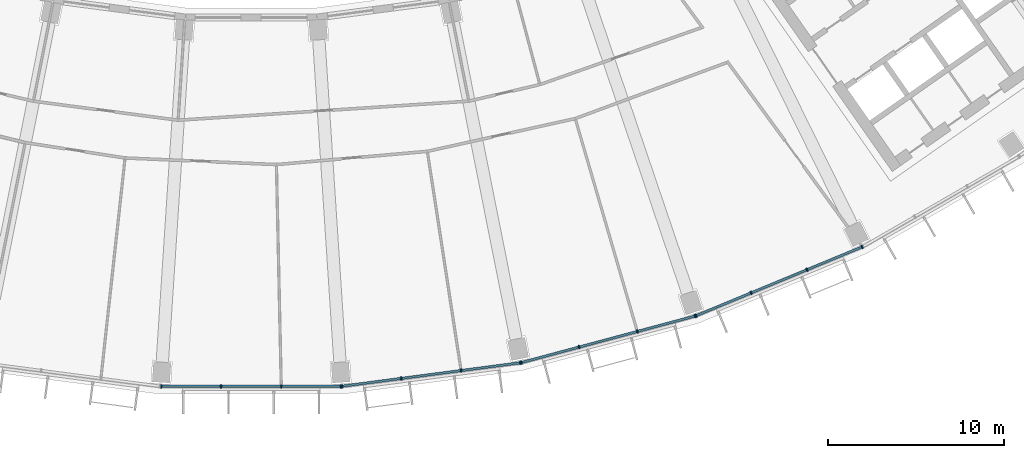
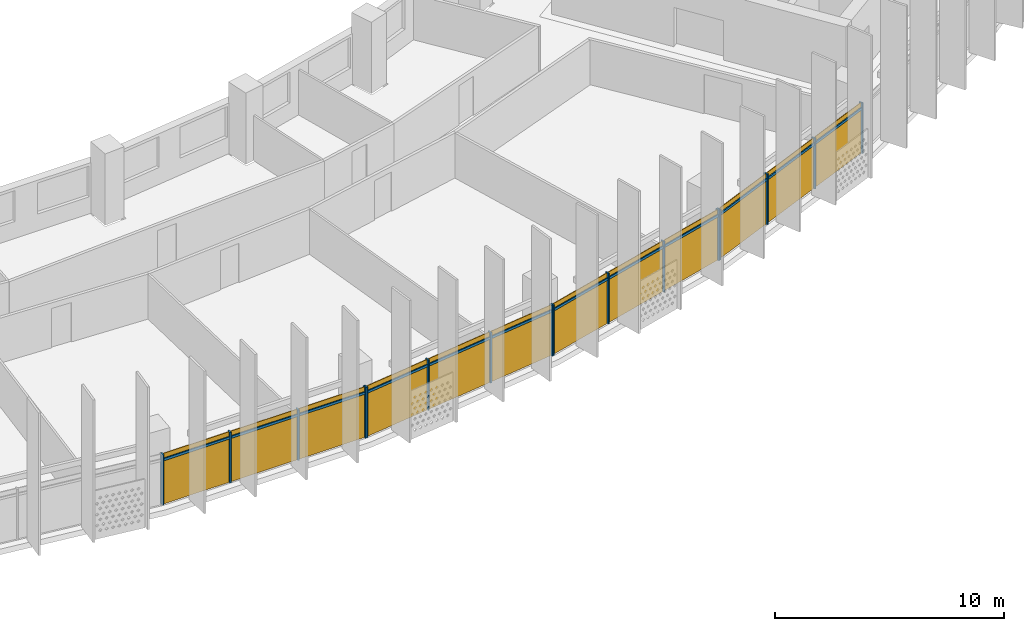
# One storey, part 19 of 30: 28 members, 4 curtain walls.
"""IFC4 building model written with IfcOpenShell, lengths in metres."""

from ifc_helpers import new_model, si_unit, direction, frame, origin, origin_2d, place, context, subcontext, project, spatial, rectangle, extrude, material, material_profile, profile_set, type_object, element, aggregate, save


model = new_model("IFC4")

# Units and contexts
model_context = context("Model", 3, precision=1e-05, world=origin(), true_north=direction((0.0, 1.0)))
body_context = subcontext(model_context, "Body", "Model", "MODEL_VIEW")
ifc_project = project(units=[si_unit("LENGTHUNIT", "METRE"), si_unit("AREAUNIT", "SQUARE_METRE"), si_unit("VOLUMEUNIT", "CUBIC_METRE"), si_unit("PLANEANGLEUNIT", "RADIAN"), si_unit("MASSUNIT", "GRAM", prefix="KILO")], contexts=[model_context])

# Member
ifc_material = material(Name="Aluminium 6063-T6 anodised", Category="aluminium")
ifc_material_profile_1 = material_profile(ifc_material, rectangle(XDim=0.199951171875, YDim=0.070068359375, at=origin_2d()))
ifc_profile_set_1 = profile_set([ifc_material_profile_1], Name="Aluminium 6063-T6 anodised")
member_type_1 = type_object("IfcMemberType", Name="Mullion 70 x 200 aluminium", PredefinedType="MULLION", material=ifc_profile_set_1)
site_placement = place(None, origin())
building_placement = place(site_placement, origin())
storey_placement = place(building_placement, frame((0.0, 0.0, 203.699951171875)))
member_1_placement = place(storey_placement, frame((-5.10888671875, -78.381591796875, 0.0), z_axis=(0.0, 0.0, 1.0), x_axis=(0.0, 1.0, 0.0)))
member_1 = element("IfcMember", 1, at=member_1_placement, type_object=member_type_1, Name="e-cw1-L48-out08/M00", PredefinedType="MULLION", context=body_context, shape_type="SweptSolid", body=[
    extrude(rectangle(XDim=0.199951171875, YDim=0.070068359375, at=origin_2d()), origin(), (0.0, 0.0, 1.0), 2.699951171875),
])

member_2_placement = place(storey_placement, frame((-1.714599609375, -78.381591796875, 0.0), z_axis=(0.0, 0.0, 1.0), x_axis=(0.0, 1.0, 0.0)))
member_2 = element("IfcMember", 2, at=member_2_placement, type_object=member_type_1, Name="e-cw1-L48-out08/M01", PredefinedType="MULLION", context=body_context, shape_type="SweptSolid", body=[
    extrude(rectangle(XDim=0.199951171875, YDim=0.070068359375, at=origin_2d()), origin(), (0.0, 0.0, 1.0), 2.699951171875),
])

member_3_placement = place(storey_placement, frame((1.714599609375, -78.381591796875, 0.0), z_axis=(0.0, 0.0, 1.0), x_axis=(0.0, 1.0, 0.0)))
member_3 = element("IfcMember", 3, at=member_3_placement, type_object=member_type_1, Name="e-cw1-L48-out08/M02", PredefinedType="MULLION", context=body_context, shape_type="SweptSolid", body=[
    extrude(rectangle(XDim=0.199951171875, YDim=0.070068359375, at=origin_2d()), origin(), (0.0, 0.0, 1.0), 2.699951171875),
])

member_4_placement = place(storey_placement, frame((5.10888671875, -78.381591796875, 0.0), z_axis=(0.0, 0.0, 1.0), x_axis=(0.0, 1.0, 0.0)))
member_4 = element("IfcMember", 4, at=member_4_placement, type_object=member_type_1, Name="e-cw1-L48-out08/M03", PredefinedType="MULLION", context=body_context, shape_type="SweptSolid", body=[
    extrude(rectangle(XDim=0.199951171875, YDim=0.070068359375, at=origin_2d()), origin(), (0.0, 0.0, 1.0), 2.699951171875),
])

member_5_placement = place(storey_placement, frame((5.16552734375, -78.3779296875, 0.0), z_axis=(0.0, 0.0, 1.0), x_axis=(-0.13052619222, 0.991444861374, 0.0)))
member_5 = element("IfcMember", 5, at=member_5_placement, type_object=member_type_1, Name="e-cw1-L48-out09/M00", PredefinedType="MULLION", context=body_context, shape_type="SweptSolid", body=[
    extrude(rectangle(XDim=0.199951171875, YDim=0.070068359375, at=origin_2d()), origin(), (0.0, 0.0, 1.0), 2.699951171875),
])

member_6_placement = place(storey_placement, frame((8.53076171875, -77.934814453125, 0.0), z_axis=(0.0, 0.0, 1.0), x_axis=(-0.13052619222, 0.991444861374, 0.0)))
member_6 = element("IfcMember", 6, at=member_6_placement, type_object=member_type_1, Name="e-cw1-L48-out09/M01", PredefinedType="MULLION", context=body_context, shape_type="SweptSolid", body=[
    extrude(rectangle(XDim=0.199951171875, YDim=0.070068359375, at=origin_2d()), origin(), (0.0, 0.0, 1.0), 2.699951171875),
])

member_7_placement = place(storey_placement, frame((11.930908203125, -77.4873046875, 0.0), z_axis=(0.0, 0.0, 1.0), x_axis=(-0.13052619222, 0.991444861374, 0.0)))
member_7 = element("IfcMember", 7, at=member_7_placement, type_object=member_type_1, Name="e-cw1-L48-out09/M02", PredefinedType="MULLION", context=body_context, shape_type="SweptSolid", body=[
    extrude(rectangle(XDim=0.199951171875, YDim=0.070068359375, at=origin_2d()), origin(), (0.0, 0.0, 1.0), 2.699951171875),
])

member_8_placement = place(storey_placement, frame((15.296142578125, -77.044189453125, 0.0), z_axis=(0.0, 0.0, 1.0), x_axis=(-0.13052619222, 0.991444861374, 0.0)))
member_8 = element("IfcMember", 8, at=member_8_placement, type_object=member_type_1, Name="e-cw1-L48-out09/M03", PredefinedType="MULLION", context=body_context, shape_type="SweptSolid", body=[
    extrude(rectangle(XDim=0.199951171875, YDim=0.070068359375, at=origin_2d()), origin(), (0.0, 0.0, 1.0), 2.699951171875),
])

member_9_placement = place(storey_placement, frame((15.351806640625, -77.033203125, 0.0), z_axis=(0.0, 0.0, 1.0), x_axis=(-0.258819045103, 0.965925826289, 0.0)))
member_9 = element("IfcMember", 9, at=member_9_placement, type_object=member_type_1, Name="e-cw1-L48-out10/M00", PredefinedType="MULLION", context=body_context, shape_type="SweptSolid", body=[
    extrude(rectangle(XDim=0.199951171875, YDim=0.070068359375, at=origin_2d()), origin(), (0.0, 0.0, 1.0), 2.699951171875),
])

member_10_placement = place(storey_placement, frame((18.63037109375, -76.154541015625, 0.0), z_axis=(0.0, 0.0, 1.0), x_axis=(-0.258819045103, 0.965925826289, 0.0)))
member_10 = element("IfcMember", 10, at=member_10_placement, type_object=member_type_1, Name="e-cw1-L48-out10/M01", PredefinedType="MULLION", context=body_context, shape_type="SweptSolid", body=[
    extrude(rectangle(XDim=0.199951171875, YDim=0.070068359375, at=origin_2d()), origin(), (0.0, 0.0, 1.0), 2.699951171875),
])

member_11_placement = place(storey_placement, frame((21.94287109375, -75.26708984375, 0.0), z_axis=(0.0, 0.0, 1.0), x_axis=(-0.258819045103, 0.965925826289, 0.0)))
member_11 = element("IfcMember", 11, at=member_11_placement, type_object=member_type_1, Name="e-cw1-L48-out10/M02", PredefinedType="MULLION", context=body_context, shape_type="SweptSolid", body=[
    extrude(rectangle(XDim=0.199951171875, YDim=0.070068359375, at=origin_2d()), origin(), (0.0, 0.0, 1.0), 2.699951171875),
])

member_12_placement = place(storey_placement, frame((25.221435546875, -74.388427734375, 0.0), z_axis=(0.0, 0.0, 1.0), x_axis=(-0.258819045103, 0.965925826289, 0.0)))
member_12 = element("IfcMember", 12, at=member_12_placement, type_object=member_type_1, Name="e-cw1-L48-out10/M03", PredefinedType="MULLION", context=body_context, shape_type="SweptSolid", body=[
    extrude(rectangle(XDim=0.199951171875, YDim=0.070068359375, at=origin_2d()), origin(), (0.0, 0.0, 1.0), 2.699951171875),
])

member_13_placement = place(storey_placement, frame((25.275390625, -74.370361328125, 0.0), z_axis=(0.0, 0.0, 1.0), x_axis=(-0.382683432365, 0.923879532511, 0.0)))
member_13 = element("IfcMember", 13, at=member_13_placement, type_object=member_type_1, Name="e-cw1-L48-out11/M00", PredefinedType="MULLION", context=body_context, shape_type="SweptSolid", body=[
    extrude(rectangle(XDim=0.199951171875, YDim=0.070068359375, at=origin_2d()), origin(), (0.0, 0.0, 1.0), 2.699951171875),
])

member_14_placement = place(storey_placement, frame((28.4111328125, -73.0712890625, 0.0), z_axis=(0.0, 0.0, 1.0), x_axis=(-0.382683432365, 0.923879532511, 0.0)))
member_14 = element("IfcMember", 14, at=member_14_placement, type_object=member_type_1, Name="e-cw1-L48-out11/M01", PredefinedType="MULLION", context=body_context, shape_type="SweptSolid", body=[
    extrude(rectangle(XDim=0.199951171875, YDim=0.070068359375, at=origin_2d()), origin(), (0.0, 0.0, 1.0), 2.699951171875),
])

member_15_placement = place(storey_placement, frame((31.57958984375, -71.759033203125, 0.0), z_axis=(0.0, 0.0, 1.0), x_axis=(-0.382683432365, 0.923879532511, 0.0)))
member_15 = element("IfcMember", 15, at=member_15_placement, type_object=member_type_1, Name="e-cw1-L48-out11/M02", PredefinedType="MULLION", context=body_context, shape_type="SweptSolid", body=[
    extrude(rectangle(XDim=0.199951171875, YDim=0.070068359375, at=origin_2d()), origin(), (0.0, 0.0, 1.0), 2.699951171875),
])

member_16_placement = place(storey_placement, frame((34.71533203125, -70.4599609375, 0.0), z_axis=(0.0, 0.0, 1.0), x_axis=(-0.382683432365, 0.923879532511, 0.0)))
member_16 = element("IfcMember", 16, at=member_16_placement, type_object=member_type_1, Name="e-cw1-L48-out11/M03", PredefinedType="MULLION", context=body_context, shape_type="SweptSolid", body=[
    extrude(rectangle(XDim=0.199951171875, YDim=0.070068359375, at=origin_2d()), origin(), (0.0, 0.0, 1.0), 2.699951171875),
])

ifc_material_profile_2 = material_profile(ifc_material, rectangle(XDim=0.139892578125, YDim=0.1201171875, at=origin_2d()))
ifc_profile_set_2 = profile_set([ifc_material_profile_2], Name="Aluminium 6063-T6 anodised")
member_type_2 = type_object("IfcMemberType", Name="Transom 120 x 140 aluminium", PredefinedType="USERDEFINED", material=ifc_profile_set_2)
member_17_placement = place(storey_placement, frame((-5.073974609375, -78.381591796875, 2.400146484375), z_axis=(1.0, 0.0, 0.0), x_axis=(0.0, 1.0, 0.0)))
member_17 = element("IfcMember", 17, at=member_17_placement, type_object=member_type_2, Name="e-cw1-L48-out08/T00", ObjectType="TRANSOM", PredefinedType="USERDEFINED", context=body_context, shape_type="SweptSolid", body=[
    extrude(rectangle(XDim=0.139892578125, YDim=0.1201171875, at=origin_2d()), origin(), (0.0, 0.0, 1.0), 3.32421875),
])

member_18_placement = place(storey_placement, frame((-1.6796875, -78.381591796875, 2.400146484375), z_axis=(1.0, 0.0, 0.0), x_axis=(0.0, 1.0, 0.0)))
member_18 = element("IfcMember", 18, at=member_18_placement, type_object=member_type_2, Name="e-cw1-L48-out08/T01", ObjectType="TRANSOM", PredefinedType="USERDEFINED", context=body_context, shape_type="SweptSolid", body=[
    extrude(rectangle(XDim=0.139892578125, YDim=0.1201171875, at=origin_2d()), origin(), (0.0, 0.0, 1.0), 3.359375),
])

member_19_placement = place(storey_placement, frame((1.749755859375, -78.381591796875, 2.400146484375), z_axis=(1.0, 0.0, 0.0), x_axis=(0.0, 1.0, 0.0)))
member_19 = element("IfcMember", 19, at=member_19_placement, type_object=member_type_2, Name="e-cw1-L48-out08/T02", ObjectType="TRANSOM", PredefinedType="USERDEFINED", context=body_context, shape_type="SweptSolid", body=[
    extrude(rectangle(XDim=0.139892578125, YDim=0.1201171875, at=origin_2d()), origin(), (0.0, 0.0, 1.0), 3.32421875),
])

member_20_placement = place(storey_placement, frame((5.2001953125, -78.373291015625, 2.400146484375), z_axis=(0.991447795146, 0.130503906072, 0.0), x_axis=(-0.130503906072, 0.991447795146, 0.0)))
member_20 = element("IfcMember", 20, at=member_20_placement, type_object=member_type_2, Name="e-cw1-L48-out09/T00", ObjectType="TRANSOM", PredefinedType="USERDEFINED", context=body_context, shape_type="SweptSolid", body=[
    extrude(rectangle(XDim=0.139892578125, YDim=0.1201171875, at=origin_2d()), origin(), (0.0, 0.0, 1.0), 3.32421875),
])

member_21_placement = place(storey_placement, frame((8.565673828125, -77.93017578125, 2.400146484375), z_axis=(0.991444893088, 0.130525951326, 0.0), x_axis=(-0.130525951326, 0.991444893088, 0.0)))
member_21 = element("IfcMember", 21, at=member_21_placement, type_object=member_type_2, Name="e-cw1-L48-out09/T01", ObjectType="TRANSOM", PredefinedType="USERDEFINED", context=body_context, shape_type="SweptSolid", body=[
    extrude(rectangle(XDim=0.139892578125, YDim=0.1201171875, at=origin_2d()), origin(), (0.0, 0.0, 1.0), 3.359375),
])

member_22_placement = place(storey_placement, frame((11.965576171875, -77.482666015625, 2.400146484375), z_axis=(0.991447795146, 0.130503906072, 0.0), x_axis=(-0.130503906072, 0.991447795146, 0.0)))
member_22 = element("IfcMember", 22, at=member_22_placement, type_object=member_type_2, Name="e-cw1-L48-out09/T02", ObjectType="TRANSOM", PredefinedType="USERDEFINED", context=body_context, shape_type="SweptSolid", body=[
    extrude(rectangle(XDim=0.139892578125, YDim=0.1201171875, at=origin_2d()), origin(), (0.0, 0.0, 1.0), 3.32421875),
])

member_23_placement = place(storey_placement, frame((15.385498046875, -77.024169921875, 2.400146484375), z_axis=(0.965913629723, 0.258864559019, 0.0), x_axis=(-0.258864559019, 0.965913629723, 0.0)))
member_23 = element("IfcMember", 23, at=member_23_placement, type_object=member_type_2, Name="e-cw1-L48-out10/T00", ObjectType="TRANSOM", PredefinedType="USERDEFINED", context=body_context, shape_type="SweptSolid", body=[
    extrude(rectangle(XDim=0.139892578125, YDim=0.1201171875, at=origin_2d()), origin(), (0.0, 0.0, 1.0), 3.324462890625),
])

member_24_placement = place(storey_placement, frame((18.664306640625, -76.1455078125, 2.400146484375), z_axis=(0.965931507774, 0.258797840582, 0.0), x_axis=(-0.258797840582, 0.965931507774, 0.0)))
member_24 = element("IfcMember", 24, at=member_24_placement, type_object=member_type_2, Name="e-cw1-L48-out10/T01", ObjectType="TRANSOM", PredefinedType="USERDEFINED", context=body_context, shape_type="SweptSolid", body=[
    extrude(rectangle(XDim=0.139892578125, YDim=0.1201171875, at=origin_2d()), origin(), (0.0, 0.0, 1.0), 3.359375),
])

member_25_placement = place(storey_placement, frame((21.976806640625, -75.258056640625, 2.400146484375), z_axis=(0.965908708139, 0.25888292246, 0.0), x_axis=(-0.25888292246, 0.965908708139, 0.0)))
member_25 = element("IfcMember", 25, at=member_25_placement, type_object=member_type_2, Name="e-cw1-L48-out10/T02", ObjectType="TRANSOM", PredefinedType="USERDEFINED", context=body_context, shape_type="SweptSolid", body=[
    extrude(rectangle(XDim=0.139892578125, YDim=0.1201171875, at=origin_2d()), origin(), (0.0, 0.0, 1.0), 3.32421875),
])

member_26_placement = place(storey_placement, frame((25.3076171875, -74.35693359375, 2.400146484375), z_axis=(0.923874511193, 0.382695554676, 0.0), x_axis=(-0.382695554676, 0.923874511193, 0.0)))
member_26 = element("IfcMember", 26, at=member_26_placement, type_object=member_type_2, Name="e-cw1-L48-out11/T00", ObjectType="TRANSOM", PredefinedType="USERDEFINED", context=body_context, shape_type="SweptSolid", body=[
    extrude(rectangle(XDim=0.139892578125, YDim=0.1201171875, at=origin_2d()), origin(), (0.0, 0.0, 1.0), 3.324462890625),
])

member_27_placement = place(storey_placement, frame((28.443603515625, -73.057861328125, 2.400146484375), z_axis=(0.923891938088, 0.38265348128, 0.0), x_axis=(-0.38265348128, 0.923891938088, 0.0)))
member_27 = element("IfcMember", 27, at=member_27_placement, type_object=member_type_2, Name="e-cw1-L48-out11/T01", ObjectType="TRANSOM", PredefinedType="USERDEFINED", context=body_context, shape_type="SweptSolid", body=[
    extrude(rectangle(XDim=0.139892578125, YDim=0.1201171875, at=origin_2d()), origin(), (0.0, 0.0, 1.0), 3.359130859375),
])

member_28_placement = place(storey_placement, frame((31.61181640625, -71.74560546875, 2.400146484375), z_axis=(0.923874511193, 0.382695554676, 0.0), x_axis=(-0.382695554676, 0.923874511193, 0.0)))
member_28 = element("IfcMember", 28, at=member_28_placement, type_object=member_type_2, Name="e-cw1-L48-out11/T02", ObjectType="TRANSOM", PredefinedType="USERDEFINED", context=body_context, shape_type="SweptSolid", body=[
    extrude(rectangle(XDim=0.139892578125, YDim=0.1201171875, at=origin_2d()), origin(), (0.0, 0.0, 1.0), 3.324462890625),
])

# Site, building, storey
site = spatial("IfcSite", under=ifc_project, at=site_placement, CompositionType="ELEMENT")
building = spatial("IfcBuilding", under=site, at=building_placement, Name="Qamariyya Broadcast Tower", CompositionType="ELEMENT")
storey = spatial("IfcBuildingStorey", under=building, at=storey_placement, Name="L48", CompositionType="ELEMENT", Elevation=203.699951171875)

# Curtain wall
curtain_wall_type = type_object("IfcCurtainWallType", Name="Unitised curtain wall, anodised aluminium", PredefinedType="NOTDEFINED", material=ifc_material)
curtain_wall_1_placement = place(storey_placement, origin())
curtain_wall_1 = element("IfcCurtainWall", 29, at=curtain_wall_1_placement, inside=storey, type_object=curtain_wall_type, Name="e-cw1-L48-out08", PredefinedType="NOTDEFINED", context=body_context, shape_type="SweptSolid", body=[
    extrude(rectangle(XDim=3.324462890625, YDim=0.031982421875, at=origin_2d()), frame((-3.411865234375, -78.381591796875, 0.0), x_axis=(1.0, 0.0, 0.0)), (0.0, 0.0, 1.0), 2.340087890625),
    extrude(rectangle(XDim=3.324462890625, YDim=0.031982421875, at=origin_2d()), frame((-3.411865234375, -78.381591796875, 2.4599609375), x_axis=(1.0, 0.0, 0.0)), (0.0, 0.0, 1.0), 0.239990234375),
    extrude(rectangle(XDim=3.359375, YDim=0.031982421875, at=origin_2d()), frame((0.0, -78.381591796875, 0.0), x_axis=(1.0, 0.0, 0.0)), (0.0, 0.0, 1.0), 2.340087890625),
    extrude(rectangle(XDim=3.359375, YDim=0.031982421875, at=origin_2d()), frame((0.0, -78.381591796875, 2.4599609375), x_axis=(1.0, 0.0, 0.0)), (0.0, 0.0, 1.0), 0.239990234375),
    extrude(rectangle(XDim=3.324462890625, YDim=0.031982421875, at=origin_2d()), frame((3.411865234375, -78.381591796875, 0.0), x_axis=(1.0, 0.0, 0.0)), (0.0, 0.0, 1.0), 2.340087890625),
    extrude(rectangle(XDim=3.324462890625, YDim=0.031982421875, at=origin_2d()), frame((3.411865234375, -78.381591796875, 2.4599609375), x_axis=(1.0, 0.0, 0.0)), (0.0, 0.0, 1.0), 0.239990234375),
])

aggregate(curtain_wall_1, [member_1, member_2, member_3, member_4, member_17, member_18, member_19])

curtain_wall_2_placement = place(storey_placement, origin())
curtain_wall_2 = element("IfcCurtainWall", 30, at=curtain_wall_2_placement, inside=storey, type_object=curtain_wall_type, Name="e-cw1-L48-out09", PredefinedType="NOTDEFINED", context=body_context, shape_type="SweptSolid", body=[
    extrude(rectangle(XDim=3.32421875, YDim=0.031982421875, at=origin_2d()), frame((6.84814453125, -78.156494140625, 0.0), x_axis=(0.991442741341, 0.130542294457, 0.0)), (0.0, 0.0, 1.0), 2.340087890625),
    extrude(rectangle(XDim=3.32421875, YDim=0.031982421875, at=origin_2d()), frame((6.84814453125, -78.156494140625, 2.4599609375), x_axis=(0.991442741341, 0.130542294457, 0.0)), (0.0, 0.0, 1.0), 0.239990234375),
    extrude(rectangle(XDim=3.359375, YDim=0.031982421875, at=origin_2d()), frame((10.23095703125, -77.7109375, 0.0), x_axis=(0.991442741341, 0.130542294457, 0.0)), (0.0, 0.0, 1.0), 2.340087890625),
    extrude(rectangle(XDim=3.359375, YDim=0.031982421875, at=origin_2d()), frame((10.23095703125, -77.7109375, 2.4599609375), x_axis=(0.991442741341, 0.130542294457, 0.0)), (0.0, 0.0, 1.0), 0.239990234375),
    extrude(rectangle(XDim=3.32421875, YDim=0.031982421875, at=origin_2d()), frame((13.613525390625, -77.265625, 0.0), x_axis=(0.991442741341, 0.130542294457, 0.0)), (0.0, 0.0, 1.0), 2.340087890625),
    extrude(rectangle(XDim=3.32421875, YDim=0.031982421875, at=origin_2d()), frame((13.613525390625, -77.265625, 2.4599609375), x_axis=(0.991442741341, 0.130542294457, 0.0)), (0.0, 0.0, 1.0), 0.239990234375),
])

aggregate(curtain_wall_2, [member_5, member_6, member_7, member_8, member_20, member_21, member_22])

curtain_wall_3_placement = place(storey_placement, origin())
curtain_wall_3 = element("IfcCurtainWall", 31, at=curtain_wall_3_placement, inside=storey, type_object=curtain_wall_type, Name="e-cw1-L48-out10", PredefinedType="NOTDEFINED", context=body_context, shape_type="SweptSolid", body=[
    extrude(rectangle(XDim=3.324462890625, YDim=0.031982421875, at=origin_2d()), frame((16.990966796875, -76.593994140625, 0.0), x_axis=(0.965923476514, 0.258827814424, 0.0)), (0.0, 0.0, 1.0), 2.340087890625),
    extrude(rectangle(XDim=3.324462890625, YDim=0.031982421875, at=origin_2d()), frame((16.990966796875, -76.593994140625, 2.4599609375), x_axis=(0.965923476514, 0.258827814424, 0.0)), (0.0, 0.0, 1.0), 0.239990234375),
    extrude(rectangle(XDim=3.359375, YDim=0.031982421875, at=origin_2d()), frame((20.28662109375, -75.7109375, 0.0), x_axis=(0.965923476514, 0.258827814424, 0.0)), (0.0, 0.0, 1.0), 2.340087890625),
    extrude(rectangle(XDim=3.359375, YDim=0.031982421875, at=origin_2d()), frame((20.28662109375, -75.7109375, 2.4599609375), x_axis=(0.965923476514, 0.258827814424, 0.0)), (0.0, 0.0, 1.0), 0.239990234375),
    extrude(rectangle(XDim=3.324462890625, YDim=0.031982421875, at=origin_2d()), frame((23.582275390625, -74.82763671875, 0.0), x_axis=(0.965923476514, 0.258827814424, 0.0)), (0.0, 0.0, 1.0), 2.340087890625),
    extrude(rectangle(XDim=3.324462890625, YDim=0.031982421875, at=origin_2d()), frame((23.582275390625, -74.82763671875, 2.4599609375), x_axis=(0.965923476514, 0.258827814424, 0.0)), (0.0, 0.0, 1.0), 0.239990234375),
])

aggregate(curtain_wall_3, [member_9, member_10, member_11, member_12, member_23, member_24, member_25])

curtain_wall_4_placement = place(storey_placement, origin())
curtain_wall_4 = element("IfcCurtainWall", 32, at=curtain_wall_4_placement, inside=storey, type_object=curtain_wall_type, Name="e-cw1-L48-out11", PredefinedType="NOTDEFINED", context=body_context, shape_type="SweptSolid", body=[
    extrude(rectangle(XDim=3.32421875, YDim=0.031982421875, at=origin_2d()), frame((26.84326171875, -73.720703125, 0.0), x_axis=(0.923880895135, 0.382680142683, 0.0)), (0.0, 0.0, 1.0), 2.340087890625),
    extrude(rectangle(XDim=3.32421875, YDim=0.031982421875, at=origin_2d()), frame((26.84326171875, -73.720703125, 2.4599609375), x_axis=(0.923880895135, 0.382680142683, 0.0)), (0.0, 0.0, 1.0), 0.239990234375),
    extrude(rectangle(XDim=3.359375, YDim=0.031982421875, at=origin_2d()), frame((29.995361328125, -72.4150390625, 0.0), x_axis=(0.923880895135, 0.382680142683, 0.0)), (0.0, 0.0, 1.0), 2.340087890625),
    extrude(rectangle(XDim=3.359375, YDim=0.031982421875, at=origin_2d()), frame((29.995361328125, -72.4150390625, 2.4599609375), x_axis=(0.923880895135, 0.382680142683, 0.0)), (0.0, 0.0, 1.0), 0.239990234375),
    extrude(rectangle(XDim=3.32421875, YDim=0.031982421875, at=origin_2d()), frame((33.1474609375, -71.109375, 0.0), x_axis=(0.923880895135, 0.382680142683, 0.0)), (0.0, 0.0, 1.0), 2.340087890625),
    extrude(rectangle(XDim=3.32421875, YDim=0.031982421875, at=origin_2d()), frame((33.1474609375, -71.109375, 2.4599609375), x_axis=(0.923880895135, 0.382680142683, 0.0)), (0.0, 0.0, 1.0), 0.239990234375),
])

aggregate(curtain_wall_4, [member_13, member_14, member_15, member_16, member_26, member_27, member_28])

save(model, "model.ifc")
